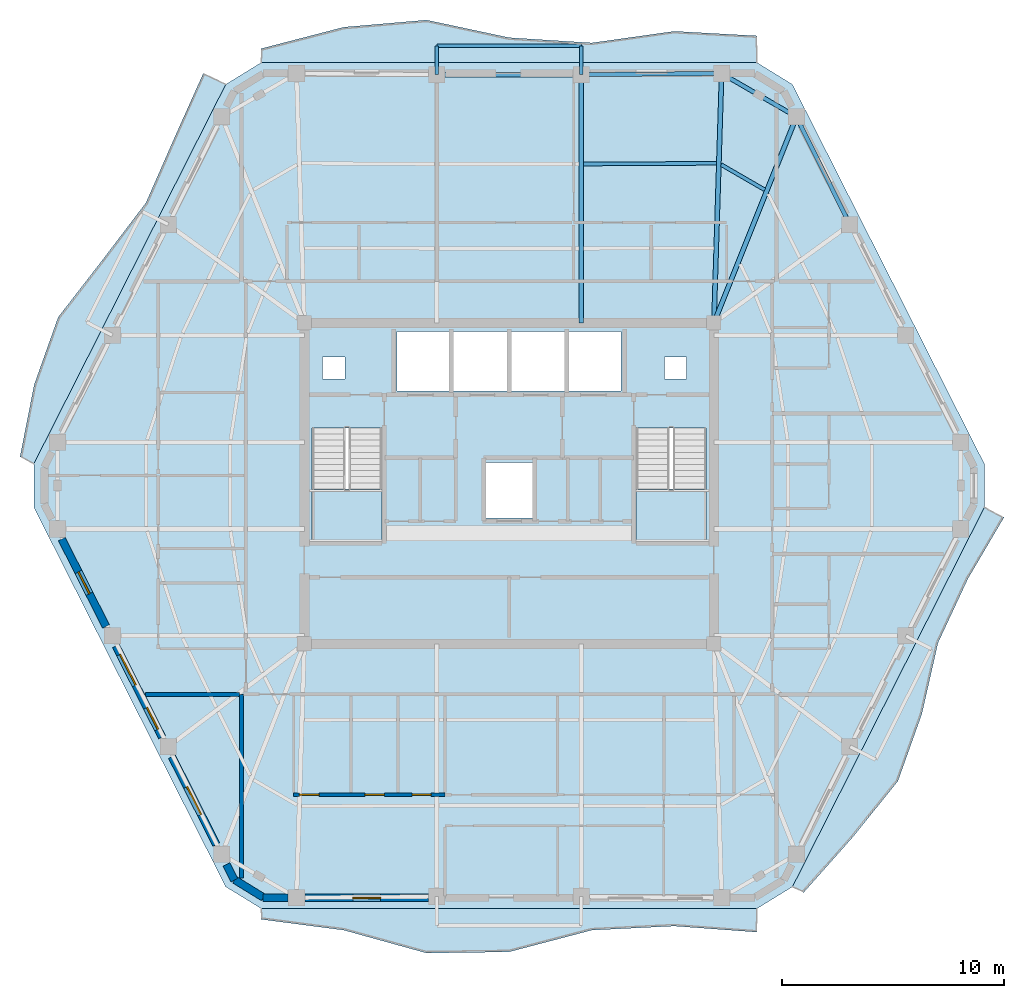
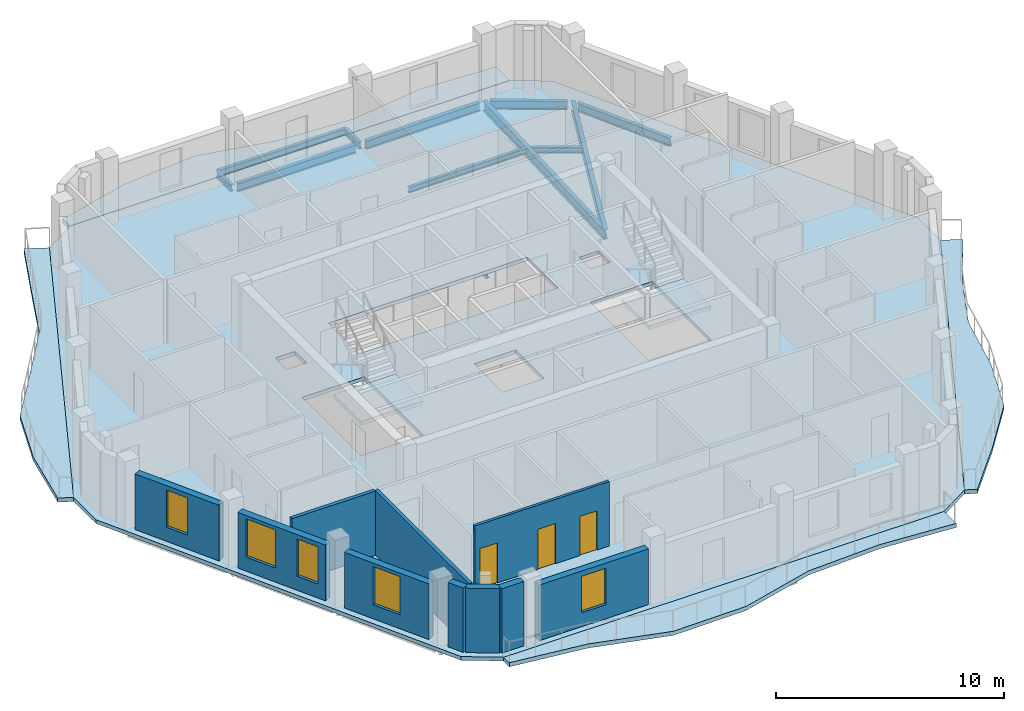
# One storey, part 3 of 11: 12 beams, 10 walls, 7 slabs, 5 windows, 3 doors, 8 openings, 2 elements without a shape of their own.
"""IFC4 building model written with IfcOpenShell, lengths in metres."""

from ifc_helpers import new_model, si_unit, direction, frame, frame_2d, origin, origin_2d, place, context, subcontext, project, spatial, polyline, rectangle, i_section, outline, extrude, material, layer, layer_set, material_profile, profile_set, type_object, element, fill, aggregate, save


model = new_model("IFC4")

# Units and contexts
model_context = context("Model", 3, precision=1e-05, world=origin(), true_north=direction((0.0, 1.0)))
body_context = subcontext(model_context, "Body", "Model", "MODEL_VIEW")
ifc_project = project(units=[si_unit("LENGTHUNIT", "METRE"), si_unit("AREAUNIT", "SQUARE_METRE"), si_unit("VOLUMEUNIT", "CUBIC_METRE"), si_unit("PLANEANGLEUNIT", "RADIAN"), si_unit("MASSUNIT", "GRAM", prefix="KILO")], contexts=[model_context])

# Site, building, storey
site_placement = place(None, origin())
site = spatial("IfcSite", under=ifc_project, at=site_placement, CompositionType="ELEMENT")
building_placement = place(site_placement, origin())
building = spatial("IfcBuilding", under=site, at=building_placement, Name="Cinnabar Lancet Tower", CompositionType="ELEMENT")
storey_placement = place(building_placement, frame((0.0, 0.0, 248.89990234375)))
storey = spatial("IfcBuildingStorey", under=building, at=storey_placement, Name="L66", CompositionType="ELEMENT", Elevation=248.89990234375)

# Beams
ifc_material_1 = material(Name="Structural steel S355", Category="steel")
ifc_material_profile_1 = material_profile(ifc_material_1, i_section(OverallWidth=0.1650390625, OverallDepth=0.303466796875, WebThickness=0.006103515625, FlangeThickness=0.01025390625, FilletRadius=0.0087890625, at=origin_2d()), Name="UKB 305x165x40")
ifc_profile_set_1 = profile_set([ifc_material_profile_1], Name="Structural steel S355")
beam_type_1 = type_object("IfcBeamType", Name="STR-BM-JST-305", PredefinedType="JOIST", material=ifc_profile_set_1)
beam_1_placement = place(storey_placement, frame((43.912109375, 39.1201171875, -0.351806640625), z_axis=(-0.865426285481, 0.501036270542, 0.0), x_axis=(-0.501036270542, -0.865426285481, 0.0)))
element("IfcBeam", 1, at=beam_1_placement, inside=storey, type_object=beam_type_1, Name="L66 Secondary Floor Joist 29", PredefinedType="JOIST", context=body_context, shape_type="SweptSolid", body=[
    extrude(i_section(OverallWidth=0.1650390625, OverallDepth=0.303466796875, WebThickness=0.006103515625, FlangeThickness=0.01025390625, FilletRadius=0.0087890625, at=origin_2d()), origin(), (0.0, 0.0, 1.0), 2.267333984375),
])
beam_2_placement = place(storey_placement, frame((41.741943359375, 40.31494140625, -0.351806640625), z_axis=(-0.999985712428, -0.005345553266, 0.0), x_axis=(0.005345553266, -0.999985712428, 0.0)))
element("IfcBeam", 2, at=beam_2_placement, inside=storey, type_object=beam_type_1, Name="L66 Secondary Floor Joist 30", PredefinedType="JOIST", context=body_context, shape_type="SweptSolid", body=[
    extrude(i_section(OverallWidth=0.1650390625, OverallDepth=0.303466796875, WebThickness=0.006103515625, FlangeThickness=0.01025390625, FilletRadius=0.0087890625, at=origin_2d()), origin(), (0.0, 0.0, 1.0), 5.98291015625),
])
ifc_material_2 = material(Name="Structural steel S355", Category="steel")
ifc_material_profile_2 = material_profile(ifc_material_2, i_section(OverallWidth=0.1904296875, OverallDepth=0.45703125, WebThickness=0.009033203125, FlangeThickness=0.014404296875, FilletRadius=0.01025390625, at=origin_2d()), Name="UKB 457x191x74")
ifc_profile_set_2 = profile_set([ifc_material_profile_2], Name="Structural steel S355")
beam_type_2 = type_object("IfcBeamType", Name="STR-BM-SPN-457", PredefinedType="SPANDREL", material=ifc_profile_set_2)
beam_3_placement = place(storey_placement, frame((47.637939453125, 37.778076171875, -0.428955078125), z_axis=(-0.444372599207, 0.895842058107, 0.0), x_axis=(-0.895842058107, -0.444372599207, 0.0)))
element("IfcBeam", 3, at=beam_3_placement, inside=storey, type_object=beam_type_2, Name="L66 Perimeter Spandrel 11", PredefinedType="SPANDREL", context=body_context, shape_type="SweptSolid", body=[
    extrude(i_section(OverallWidth=0.1904296875, OverallDepth=0.45703125, WebThickness=0.009033203125, FlangeThickness=0.014404296875, FilletRadius=0.01025390625, at=origin_2d()), origin(), (0.0, 0.0, 1.0), 4.91943359375),
])
beam_4_placement = place(storey_placement, frame((45.125, 42.533935546875, -0.428955078125), z_axis=(-0.865199693264, 0.501427453153, 0.0), x_axis=(-0.501427453153, -0.865199693264, 0.0)))
element("IfcBeam", 4, at=beam_4_placement, inside=storey, type_object=beam_type_2, Name="L66 Perimeter Spandrel 12", PredefinedType="SPANDREL", context=body_context, shape_type="SweptSolid", body=[
    extrude(i_section(OverallWidth=0.1904296875, OverallDepth=0.45703125, WebThickness=0.009033203125, FlangeThickness=0.014404296875, FilletRadius=0.01025390625, at=origin_2d()), origin(), (0.0, 0.0, 1.0), 3.39453125),
])
beam_5_placement = place(storey_placement, frame((41.721923828125, 44.35888671875, -0.428955078125), z_axis=(-0.999964782464, -0.008392486634, 0.0), x_axis=(0.008392486634, -0.999964782464, 0.0)))
element("IfcBeam", 5, at=beam_5_placement, inside=storey, type_object=beam_type_2, Name="L66 Perimeter Spandrel 13", PredefinedType="SPANDREL", context=body_context, shape_type="SweptSolid", body=[
    extrude(i_section(OverallWidth=0.1904296875, OverallDepth=0.45703125, WebThickness=0.009033203125, FlangeThickness=0.014404296875, FilletRadius=0.01025390625, at=origin_2d()), origin(), (0.0, 0.0, 1.0), 5.818115234375),
])
beam_6_placement = place(storey_placement, frame((35.404052734375, 44.30810546875, -0.428955078125), z_axis=(-1.0, 0.0, 0.0), x_axis=(0.0, -1.0, 0.0)))
element("IfcBeam", 6, at=beam_6_placement, inside=storey, type_object=beam_type_2, Name="L66 Perimeter Spandrel 14", PredefinedType="SPANDREL", context=body_context, shape_type="SweptSolid", body=[
    extrude(i_section(OverallWidth=0.1904296875, OverallDepth=0.45703125, WebThickness=0.009033203125, FlangeThickness=0.014404296875, FilletRadius=0.01025390625, at=origin_2d()), origin(), (0.0, 0.0, 1.0), 6.008056640625),
])
ifc_material_3 = material(Name="Structural steel S355", Category="steel")
ifc_material_profile_3 = material_profile(ifc_material_3, i_section(OverallWidth=0.209228515625, OverallDepth=0.533203125, WebThickness=0.010009765625, FlangeThickness=0.015625, FilletRadius=0.0126953125, at=origin_2d()), Name="UKB 533x210x92")
ifc_profile_set_3 = profile_set([ifc_material_profile_3], Name="Structural steel S355")
beam_type_3 = type_object("IfcBeamType", Name="STR-BM-UKB533-92", PredefinedType="BEAM", material=ifc_profile_set_3)
beam_7_placement = place(storey_placement, frame((45.341064453125, 42.408935546875, -0.466796875), z_axis=(-0.371605341166, -0.928390796172, 0.0), x_axis=(0.928390796172, -0.371605341166, 0.0)))
element("IfcBeam", 7, at=beam_7_placement, inside=storey, type_object=beam_type_3, Name="L66 Primary Floor Girder 12", PredefinedType="BEAM", context=body_context, shape_type="SweptSolid", body=[
    extrude(i_section(OverallWidth=0.209228515625, OverallDepth=0.533203125, WebThickness=0.010009765625, FlangeThickness=0.015625, FilletRadius=0.0126953125, at=origin_2d()), origin(), (0.0, 0.0, 1.0), 10.0),
])
beam_8_placement = place(storey_placement, frame((41.971923828125, 44.361083984375, -0.466796875), z_axis=(-0.030861159652, -0.999523680973, 0.0), x_axis=(0.999523680973, -0.030861159652, 0.0)))
element("IfcBeam", 8, at=beam_8_placement, inside=storey, type_object=beam_type_3, Name="L66 Primary Floor Girder 13", PredefinedType="BEAM", context=body_context, shape_type="SweptSolid", body=[
    extrude(i_section(OverallWidth=0.209228515625, OverallDepth=0.533203125, WebThickness=0.010009765625, FlangeThickness=0.015625, FilletRadius=0.0126953125, at=origin_2d()), origin(), (0.0, 0.0, 1.0), 11.241455078125),
])
beam_9_placement = place(storey_placement, frame((35.654052734375, 44.30810546875, -0.466796875), z_axis=(0.0, -1.0, 0.0), x_axis=(1.0, 0.0, 0.0)))
element("IfcBeam", 9, at=beam_9_placement, inside=storey, type_object=beam_type_3, Name="L66 Primary Floor Girder 14", PredefinedType="BEAM", context=body_context, shape_type="SweptSolid", body=[
    extrude(i_section(OverallWidth=0.209228515625, OverallDepth=0.533203125, WebThickness=0.010009765625, FlangeThickness=0.015625, FilletRadius=0.0126953125, at=origin_2d()), origin(), (0.0, 0.0, 1.0), 11.18310546875),
])
ifc_material_4 = material(Name="Structural steel S355", Category="steel")
ifc_material_profile_4 = material_profile(ifc_material_4, i_section(OverallWidth=0.17138671875, OverallDepth=0.35498046875, WebThickness=0.00732421875, FlangeThickness=0.011474609375, FilletRadius=0.01025390625, at=origin_2d()), Name="UKB 356x171x51")
ifc_profile_set_4 = profile_set([ifc_material_profile_4], Name="Structural steel S355")
beam_type_4 = type_object("IfcBeamType", Name="STR-BM-WAV-OUT", PredefinedType="BEAM", material=ifc_profile_set_4)
for number, where, z_axis, x_axis, name in (
    (10, (35.654052734375, 44.30810546875, -0.39794921875), (0.0, 1.0, 0.0), (-1.0, 0.0, 0.0), "L66 Face 4 Balcony Outlooker A"),
    (11, (29.14599609375, 44.30810546875, -0.39794921875), (0.0, 1.0, 0.0), (-1.0, 0.0, 0.0), "L66 Face 4 Balcony Outlooker B"),
):
    element("IfcBeam", number, at=place(storey_placement, frame(where, z_axis=z_axis, x_axis=x_axis)), inside=storey, type_object=beam_type_4, Name=name, PredefinedType="BEAM", context=body_context, shape_type="SweptSolid", body=[
        extrude(i_section(OverallWidth=0.17138671875, OverallDepth=0.35498046875, WebThickness=0.00732421875, FlangeThickness=0.011474609375, FilletRadius=0.01025390625, at=origin_2d()), origin(), (0.0, 0.0, 1.0), 1.2998046875),
    ])
ifc_material_5 = material(Name="Structural steel S355", Category="steel")
ifc_material_profile_5 = material_profile(ifc_material_5, i_section(OverallWidth=0.17138671875, OverallDepth=0.35498046875, WebThickness=0.00732421875, FlangeThickness=0.011474609375, FilletRadius=0.01025390625, at=origin_2d()), Name="UKB 356x171x51")
ifc_profile_set_5 = profile_set([ifc_material_profile_5], Name="Structural steel S355")
beam_type_5 = type_object("IfcBeamType", Name="STR-BM-WAV-TRIM", PredefinedType="SPANDREL", material=ifc_profile_set_5)
beam_10_placement = place(storey_placement, frame((35.654052734375, 45.60791015625, -0.39794921875), z_axis=(-1.0, 0.0, 0.0), x_axis=(0.0, -1.0, 0.0)))
element("IfcBeam", 12, at=beam_10_placement, inside=storey, type_object=beam_type_5, Name="L66 Face 4 Balcony Edge Trimmer", PredefinedType="SPANDREL", context=body_context, shape_type="SweptSolid", body=[
    extrude(i_section(OverallWidth=0.17138671875, OverallDepth=0.35498046875, WebThickness=0.00732421875, FlangeThickness=0.011474609375, FilletRadius=0.01025390625, at=origin_2d()), origin(), (0.0, 0.0, 1.0), 6.508056640625),
])

# Stair, slab
ifc_material_6 = material(Name="Concrete C40/50", Category="concrete")
stair_type = type_object("IfcStairType", Name="ST-CORE", PredefinedType="HALF_TURN_STAIR", material=ifc_material_6)
stair_1_placement = place(storey_placement, origin())
stair_1 = element("IfcStair", 13, at=stair_1_placement, inside=storey, type_object=stair_type, Name="L66 ST-1", PredefinedType="HALF_TURN_STAIR")
ifc_material_7 = material(Name="Concrete C40/50", Category="concrete")
ifc_layer_1 = layer(ifc_material_7, 0.199951171875)
ifc_layer_set_1 = layer_set([ifc_layer_1], Name="Concrete C40/50")
slab_type_1 = type_object("IfcSlabType", Name="LANDING-CORE", PredefinedType="LANDING", material=ifc_layer_set_1)
slab_1_placement = place(storey_placement, frame((0.0, 0.0, 1.625)))
slab_1 = element("IfcSlab", 14, at=slab_1_placement, type_object=slab_type_1, Name="ST-1 landing 1", PredefinedType="LANDING", context=body_context, shape_type="SweptSolid", body=[
    extrude(outline(polyline([(23.52490234375, 25.64990234375), (23.52490234375, 23.25), (26.675048828125, 23.25), (26.675048828125, 25.64990234375), (23.52490234375, 25.64990234375)])), origin(), (0.0, 0.0, 1.0), 0.2001953125),
])
aggregate(stair_1, [slab_1])

stair_2_placement = place(storey_placement, origin())
stair_2 = element("IfcStair", 15, at=stair_2_placement, inside=storey, type_object=stair_type, Name="L66 ST-2", PredefinedType="HALF_TURN_STAIR")
slab_2_placement = place(storey_placement, frame((0.0, 0.0, 1.625)))
slab_2 = element("IfcSlab", 16, at=slab_2_placement, type_object=slab_type_1, Name="ST-2 landing 1", PredefinedType="LANDING", context=body_context, shape_type="SweptSolid", body=[
    extrude(outline(polyline([(38.125, 25.64990234375), (38.125, 23.25), (41.27490234375, 23.25), (41.27490234375, 25.64990234375), (38.125, 25.64990234375)])), origin(), (0.0, 0.0, 1.0), 0.2001953125),
])
aggregate(stair_2, [slab_2])

# Slabs
ifc_material_8 = material(Name="Concrete C40/50", Category="concrete")
ifc_layer_2 = layer(ifc_material_8, 0.199951171875)
ifc_layer_set_2 = layer_set([ifc_layer_2], Name="Concrete C40/50")
slab_type_2 = type_object("IfcSlabType", Name="STR-SLB-FLR-200", PredefinedType="FLOOR", material=ifc_layer_set_2)
slab_3_placement = place(storey_placement, frame((0.0, 0.0, -0.199951171875)))
element("IfcSlab", 17, at=slab_3_placement, inside=storey, type_object=slab_type_2, Name="L66 Structural Floor Slab", PredefinedType="FLOOR", context=body_context, shape_type="SweptSolid", body=[
    extrude(outline(polyline([(19.638916015625, 7.73193359375), (21.236083984375, 6.75), (43.56396484375, 6.75), (45.160888671875, 7.73193359375), (53.802978515625, 24.818115234375), (53.802978515625, 26.781982421875), (45.160888671875, 43.867919921875), (43.56396484375, 44.85009765625), (21.236083984375, 44.85009765625), (19.638916015625, 43.867919921875), (10.9970703125, 26.781982421875), (10.9970703125, 24.818115234375), (19.638916015625, 7.73193359375)]), holes=[polyline([(23.52490234375, 23.25), (26.675048828125, 23.25), (26.675048828125, 28.3994140625), (23.52490234375, 28.3994140625), (23.52490234375, 23.25)]), polyline([(38.125, 23.25), (41.27490234375, 23.25), (41.27490234375, 28.3994140625), (38.125, 28.3994140625), (38.125, 23.25)]), polyline([(27.35009765625, 30.050048828125), (37.449951171875, 30.050048828125), (37.449951171875, 32.75), (27.35009765625, 32.75), (27.35009765625, 30.050048828125)]), polyline([(31.35009765625, 24.35009765625), (33.449951171875, 24.35009765625), (33.449951171875, 26.85009765625), (31.35009765625, 26.85009765625), (31.35009765625, 24.35009765625)]), polyline([(24.0, 30.60009765625), (25.0, 30.60009765625), (25.0, 31.60009765625), (24.0, 31.60009765625), (24.0, 30.60009765625)]), polyline([(39.39990234375, 30.60009765625), (40.39990234375, 30.60009765625), (40.39990234375, 31.60009765625), (39.39990234375, 31.60009765625), (39.39990234375, 30.60009765625)])]), origin(), (0.0, 0.0, 1.0), 0.199951171875),
])
ifc_material_9 = material(Name="Concrete C45/55", Category="concrete")
ifc_layer_3 = layer(ifc_material_9, 0.219970703125)
ifc_layer_set_3 = layer_set([ifc_layer_3], Name="Concrete C45/55")
slab_type_3 = type_object("IfcSlabType", Name="STR-SLB-WAV-220", PredefinedType="FLOOR", material=ifc_layer_set_3)
slab_4_placement = place(storey_placement, frame((0.0, 0.0, -0.219970703125)))
element("IfcSlab", 18, at=slab_4_placement, inside=storey, type_object=slab_type_3, Name="L66 Face 1 Undulating Wave Balcony Slab", PredefinedType="FLOOR", context=body_context, shape_type="SweptSolid", body=[
    extrude(outline(polyline([(21.236083984375, 6.75), (21.236083984375, 6.263916015625), (24.95703125, 5.777099609375), (28.678955078125, 4.7470703125), (32.39990234375, 4.799072265625), (36.12109375, 5.777099609375), (39.843017578125, 5.9619140625), (43.56396484375, 5.68994140625), (43.56396484375, 6.75), (21.236083984375, 6.75)])), origin(), (0.0, 0.0, 1.0), 0.219970703125),
])
slab_5_placement = place(storey_placement, frame((0.0, 0.0, -0.219970703125)))
element("IfcSlab", 19, at=slab_5_placement, inside=storey, type_object=slab_type_3, Name="L66 Face 2 Undulating Wave Balcony Slab", PredefinedType="FLOOR", context=body_context, shape_type="SweptSolid", body=[
    extrude(outline(polyline([(45.160888671875, 7.73193359375), (45.6650390625, 7.47705078125), (47.85791015625, 9.944091796875), (49.906982421875, 12.48388671875), (50.989013671875, 15.512939453125), (51.717041015625, 18.720947265625), (53.06689453125, 21.614013671875), (54.68896484375, 24.3701171875), (53.802978515625, 24.818115234375), (45.160888671875, 7.73193359375)])), origin(), (0.0, 0.0, 1.0), 0.219970703125),
])
slab_6_placement = place(storey_placement, frame((0.0, 0.0, -0.219970703125)))
element("IfcSlab", 20, at=slab_6_placement, inside=storey, type_object=slab_type_3, Name="L66 Face 4 Undulating Wave Balcony Slab", PredefinedType="FLOOR", context=body_context, shape_type="SweptSolid", body=[
    extrude(outline(polyline([(43.56396484375, 44.85009765625), (43.56396484375, 46.056884765625), (39.843017578125, 46.261962890625), (36.12109375, 45.739013671875), (32.39990234375, 45.97607421875), (28.678955078125, 46.76904296875), (24.95703125, 46.447998046875), (21.236083984375, 45.48193359375), (21.236083984375, 44.85009765625), (43.56396484375, 44.85009765625)])), origin(), (0.0, 0.0, 1.0), 0.219970703125),
])
slab_7_placement = place(storey_placement, frame((0.0, 0.0, -0.219970703125)))
element("IfcSlab", 21, at=slab_7_placement, inside=storey, type_object=slab_type_3, Name="L66 Face 5 Undulating Wave Balcony Slab", PredefinedType="FLOOR", context=body_context, shape_type="SweptSolid", body=[
    extrude(outline(polyline([(19.638916015625, 43.867919921875), (18.633056640625, 44.376953125), (17.326904296875, 41.4609375), (16.04296875, 38.534912109375), (14.0791015625, 35.951904296875), (12.091064453125, 33.381103515625), (11.013916015625, 30.35009765625), (10.373046875, 27.097900390625), (10.9970703125, 26.781982421875), (19.638916015625, 43.867919921875)])), origin(), (0.0, 0.0, 1.0), 0.219970703125),
])

# Walls
ifc_material_10 = material(Name="Fire-rated twin-frame acoustic drywall", Category="gypsum")
ifc_layer_4 = layer(ifc_material_10, 0.179931640625)
ifc_layer_set_4 = layer_set([ifc_layer_4], Name="Fire-rated twin-frame acoustic drywall")
wall_type_1 = type_object("IfcWallType", Name="ARC-WL-PARTY-180", PredefinedType="PARTITIONING", material=ifc_layer_set_4)
wall_1_placement = place(storey_placement, frame((20.35009765625, 8.118896484375, 0.0), z_axis=(0.0, 0.0, 1.0), x_axis=(0.0, 1.0, 0.0)))
element("IfcWall", 22, at=wall_1_placement, inside=storey, type_object=wall_type_1, Name="PW-L66-SPTY-204", PredefinedType="PARTITIONING", context=body_context, shape_type="SweptSolid", body=[
    extrude(rectangle(XDim=8.281005859375, YDim=0.179931640625, at=frame_2d((4.140625, 0.0))), origin(), (0.0, 0.0, 1.0), 3.4501953125),
])
wall_2_placement = place(storey_placement, frame((16.033935546875, 16.39990234375, 0.0), z_axis=(0.0, 0.0, 1.0), x_axis=(1.0, 0.0, 0.0)))
element("IfcWall", 23, at=wall_2_placement, inside=storey, type_object=wall_type_1, Name="PW-L66-WSB", PredefinedType="PARTITIONING", context=body_context, shape_type="SweptSolid", body=[
    extrude(rectangle(XDim=4.220947265625, YDim=0.179931640625, at=frame_2d((2.1103515625, 0.0))), origin(), (0.0, 0.0, 1.0), 3.4501953125),
])

# Wall, openings, doors
ifc_material_11 = material(Name="Moisture-resistant cement-board plumbing wall", Category="masonry")
ifc_layer_5 = layer(ifc_material_11, 0.139892578125)
ifc_layer_set_5 = layer_set([ifc_layer_5], Name="Moisture-resistant cement-board plumbing wall")
wall_type_2 = type_object("IfcWallType", Name="ARC-WL-WET-140", PredefinedType="PLUMBINGWALL", material=ifc_layer_set_5)
wall_3_placement = place(storey_placement, frame((22.699951171875, 11.87890625, 0.0), z_axis=(0.0, 0.0, 1.0), x_axis=(1.0, 0.0, 0.0)))
wall_3 = element("IfcWall", 24, at=wall_3_placement, inside=storey, type_object=wall_type_2, Name="UW-L66-S01-SPL", PredefinedType="PLUMBINGWALL", context=body_context, shape_type="SweptSolid", body=[
    extrude(rectangle(XDim=6.80810546875, YDim=0.139892578125, at=frame_2d((3.404052734375, 0.0))), origin(), (0.0, 0.0, 1.0), 3.4501953125),
])
opening_1_placement = place(wall_3_placement, frame((5.327880859375, 0.0, 0.0)))
opening_1 = element("IfcOpeningElement", 25, at=opening_1_placement, cuts=wall_3, Name="Opening BD-01", PredefinedType="OPENING", context=body_context, shape_type="SweptSolid", body=[
    extrude(rectangle(XDim=0.860107421875, YDim=2.10009765625, at=frame_2d((0.43017578125, 1.050048828125))), frame((0.0, 0.079833984375, 0.0), z_axis=(0.0, -1.0, 0.0), x_axis=(1.0, 0.0, 0.0)), (0.0, 0.0, 1.0), 0.159912109375),
])
opening_2_placement = place(wall_3_placement, frame((0.260009765625, 0.0, 0.0)))
opening_2 = element("IfcOpeningElement", 26, at=opening_2_placement, cuts=wall_3, Name="Opening RD-02", PredefinedType="OPENING", context=body_context, shape_type="SweptSolid", body=[
    extrude(rectangle(XDim=0.8798828125, YDim=2.14990234375, at=frame_2d((0.43994140625, 1.074951171875))), frame((0.0, 0.079833984375, 0.0), z_axis=(0.0, -1.0, 0.0), x_axis=(1.0, 0.0, 0.0)), (0.0, 0.0, 1.0), 0.159912109375),
])
opening_3_placement = place(wall_3_placement, frame((3.202880859375, 0.0, 0.0)))
opening_3 = element("IfcOpeningElement", 27, at=opening_3_placement, cuts=wall_3, Name="Opening RD-02", PredefinedType="OPENING", context=body_context, shape_type="SweptSolid", body=[
    extrude(rectangle(XDim=0.8798828125, YDim=2.14990234375, at=frame_2d((0.43994140625, 1.074951171875))), frame((0.0, 0.079833984375, 0.0), z_axis=(0.0, -1.0, 0.0), x_axis=(1.0, 0.0, 0.0)), (0.0, 0.0, 1.0), 0.159912109375),
])
ifc_material_12 = material(Name="Moisture-resistant timber bathroom door", Category="wood")
door_type_1 = type_object("IfcDoorType", Name="ARC-DR-BATH", OperationType="NOTDEFINED", PredefinedType="DOOR", material=ifc_material_12)
door_1_placement = place(opening_1_placement, origin())
door_1 = element("IfcDoor", 28, at=door_1_placement, inside=storey, type_object=door_type_1, Name="DR-L66-S01-BTH", OperationType="SINGLE_SWING_RIGHT", OverallHeight=2.10009765625, OverallWidth=0.860107421875, PredefinedType="DOOR", context=body_context, shape_type="SweptSolid", body=[
    extrude(rectangle(XDim=0.860107421875, YDim=2.10009765625, at=frame_2d((0.43017578125, 1.050048828125))), frame((0.0, 0.02490234375, 0.0), z_axis=(0.0, -1.0, 0.0), x_axis=(1.0, 0.0, 0.0)), (0.0, 0.0, 1.0), 0.050048828125),
])
fill(opening_1, door_1)
ifc_material_13 = material(Name="Engineered timber study door", Category="wood")
door_type_2 = type_object("IfcDoorType", Name="ARC-DR-STUDY", OperationType="NOTDEFINED", PredefinedType="DOOR", material=ifc_material_13)
door_2_placement = place(opening_2_placement, origin())
door_2 = element("IfcDoor", 29, at=door_2_placement, inside=storey, type_object=door_type_2, Name="DR-L66-S01-KIT", OperationType="SINGLE_SWING_RIGHT", OverallHeight=2.14990234375, OverallWidth=0.8798828125, PredefinedType="DOOR", context=body_context, shape_type="SweptSolid", body=[
    extrude(rectangle(XDim=0.8798828125, YDim=2.14990234375, at=frame_2d((0.43994140625, 1.074951171875))), frame((0.0, 0.02490234375, 0.0), z_axis=(0.0, -1.0, 0.0), x_axis=(1.0, 0.0, 0.0)), (0.0, 0.0, 1.0), 0.050048828125),
])
fill(opening_2, door_2)
door_3_placement = place(opening_3_placement, origin())
door_3 = element("IfcDoor", 30, at=door_3_placement, inside=storey, type_object=door_type_2, Name="DR-L66-S01-STD", OperationType="SINGLE_SWING_LEFT", OverallHeight=2.14990234375, OverallWidth=0.8798828125, PredefinedType="DOOR", context=body_context, shape_type="SweptSolid", body=[
    extrude(rectangle(XDim=0.8798828125, YDim=2.14990234375, at=frame_2d((0.43994140625, 1.074951171875))), frame((0.0, 0.02490234375, 0.0), z_axis=(0.0, -1.0, 0.0), x_axis=(1.0, 0.0, 0.0)), (0.0, 0.0, 1.0), 0.050048828125),
])
fill(opening_3, door_3)

# Walls
ifc_material_14 = material(Name="Cinnabar red clay brick", Category="masonry")
ifc_layer_6 = layer(ifc_material_14, 0.340087890625)
ifc_layer_set_6 = layer_set([ifc_layer_6], Name="Cinnabar red clay brick")
wall_type_3 = type_object("IfcWallType", Name="ENV-WL-BRK-RED-340", PredefinedType="STANDARD", material=ifc_layer_set_6)
wall_4_placement = place(storey_placement, frame((20.047119140625, 8.044921875, 0.0), z_axis=(0.0, 0.0, 1.0), x_axis=(0.851680557619, -0.52406128246, 0.0)))
element("IfcWall", 31, at=wall_4_placement, inside=storey, type_object=wall_type_3, Name="L66 Chamfered Corner Brick Pier 1.1", PredefinedType="STANDARD", context=body_context, shape_type="SweptSolid", body=[
    extrude(rectangle(XDim=1.507568359375, YDim=0.340087890625, at=frame_2d((0.75390625, 0.0))), origin(), (0.0, 0.0, 1.0), 3.4501953125),
])
wall_5_placement = place(storey_placement, frame((21.325927734375, 7.22998046875, 0.0), z_axis=(0.0, 0.0, 1.0), x_axis=(1.0, 0.0, 0.0)))
element("IfcWall", 32, at=wall_5_placement, inside=storey, type_object=wall_type_3, Name="L66 Face 1 Masonry Bay Wall 1", PredefinedType="STANDARD", context=body_context, shape_type="SweptSolid", body=[
    extrude(rectangle(XDim=1.123046875, YDim=0.340087890625, at=frame_2d((0.5615234375, 0.0))), origin(), (0.0, 0.0, 1.0), 3.4501953125),
])

# Wall, opening, window
wall_6_placement = place(storey_placement, frame((23.20703125, 7.22998046875, 0.0), z_axis=(0.0, 0.0, 1.0), x_axis=(1.0, 0.0, 0.0)))
wall_6 = element("IfcWall", 33, at=wall_6_placement, inside=storey, type_object=wall_type_3, Name="L66 Face 1 Masonry Bay Wall 2", PredefinedType="STANDARD", context=body_context, shape_type="SweptSolid", body=[
    extrude(rectangle(XDim=5.56005859375, YDim=0.340087890625, at=frame_2d((2.780029296875, 0.0))), origin(), (0.0, 0.0, 1.0), 2.983154296875),
])
opening_4_placement = place(wall_6_placement, frame((2.155029296875, 0.0, 0.75)))
opening_4 = element("IfcOpeningElement", 34, at=opening_4_placement, cuts=wall_6, Name="Opening WN-03", PredefinedType="OPENING", context=body_context, shape_type="SweptSolid", body=[
    extrude(rectangle(XDim=1.25, YDim=1.949951171875, at=frame_2d((0.625, 0.97509765625))), frame((0.0, 0.179931640625, 0.0), z_axis=(0.0, -1.0, 0.0), x_axis=(1.0, 0.0, 0.0)), (0.0, 0.0, 1.0), 0.360107421875),
])
ifc_material_15 = material(Name="Thermally broken bronze-anodized aluminium low-E double glazing", Category="aluminium")
window_type_1 = type_object("IfcWindowType", Name="ENV-WN-LANCET-1250", PartitioningType="SINGLE_PANEL", PredefinedType="WINDOW", material=ifc_material_15)
window_1_placement = place(opening_4_placement, origin())
window_1 = element("IfcWindow", 35, at=window_1_placement, inside=storey, type_object=window_type_1, Name="L66 Face 1 Gothic Lancet Window 2", OverallHeight=1.949951171875, OverallWidth=1.25, PartitioningType="SINGLE_PANEL", PredefinedType="WINDOW", context=body_context, shape_type="SweptSolid", body=[
    extrude(rectangle(XDim=1.25, YDim=1.949951171875, at=frame_2d((0.625, 0.97509765625))), frame((0.0, 0.030029296875, 0.0), z_axis=(0.0, -1.0, 0.0), x_axis=(1.0, 0.0, 0.0)), (0.0, 0.0, 1.0), 0.06005859375),
])
fill(opening_4, window_1)

wall_7_placement = place(storey_placement, frame((12.257080078125, 23.388916015625, 0.0), z_axis=(0.0, 0.0, 1.0), x_axis=(0.45130817501, -0.892368158984, 0.0)))
wall_7 = element("IfcWall", 36, at=wall_7_placement, inside=storey, type_object=wall_type_3, Name="L66 Face 6 Masonry Bay Wall 2", PredefinedType="STANDARD", context=body_context, shape_type="SweptSolid", body=[
    extrude(rectangle(XDim=4.4072265625, YDim=0.340087890625, at=frame_2d((2.20361328125, 0.0))), origin(), (0.0, 0.0, 1.0), 2.983154296875),
])
opening_5_placement = place(wall_7_placement, frame((1.654052734375, 0.0, 0.75)))
opening_5 = element("IfcOpeningElement", 37, at=opening_5_placement, cuts=wall_7, Name="Opening WN-04", PredefinedType="OPENING", context=body_context, shape_type="SweptSolid", body=[
    extrude(rectangle(XDim=1.10009765625, YDim=2.0, at=frame_2d((0.550048828125, 1.0))), frame((0.0, 0.179931640625, 0.0), z_axis=(0.0, -1.0, 0.0), x_axis=(1.0, 0.0, 0.0)), (0.0, 0.0, 1.0), 0.360107421875),
])
ifc_material_16 = material(Name="Thermally broken bronze-anodized aluminium tall lancet window", Category="aluminium")
window_type_2 = type_object("IfcWindowType", Name="ENV-WN-LANCET-1100", PartitioningType="SINGLE_PANEL", PredefinedType="WINDOW", material=ifc_material_16)
window_2_placement = place(opening_5_placement, origin())
window_2 = element("IfcWindow", 38, at=window_2_placement, inside=storey, type_object=window_type_2, Name="L66 Face 6 Gothic Lancet Window 2", OverallHeight=2.0, OverallWidth=1.10009765625, PartitioningType="SINGLE_PANEL", PredefinedType="WINDOW", context=body_context, shape_type="SweptSolid", body=[
    extrude(rectangle(XDim=1.10009765625, YDim=2.0, at=frame_2d((0.550048828125, 1.0))), frame((0.0, 0.030029296875, 0.0), z_axis=(0.0, -1.0, 0.0), x_axis=(1.0, 0.0, 0.0)), (0.0, 0.0, 1.0), 0.06005859375),
])
fill(opening_5, window_2)

# Wall, openings, windows
wall_8_placement = place(storey_placement, frame((14.69091796875, 18.576904296875, 0.0), z_axis=(0.0, 0.0, 1.0), x_axis=(0.451581819983, -0.892229712496, 0.0)))
wall_8 = element("IfcWall", 39, at=wall_8_placement, inside=storey, type_object=wall_type_3, Name="L66 Face 6 Masonry Bay Wall 3", PredefinedType="STANDARD", context=body_context, shape_type="SweptSolid", body=[
    extrude(rectangle(XDim=4.599609375, YDim=0.340087890625, at=frame_2d((2.2998046875, 0.0))), origin(), (0.0, 0.0, 1.0), 2.983154296875),
])
opening_6_placement = place(wall_8_placement, frame((0.424072265625, 0.0, 0.75)))
opening_6 = element("IfcOpeningElement", 40, at=opening_6_placement, cuts=wall_8, Name="Opening WN-01", PredefinedType="OPENING", context=body_context, shape_type="SweptSolid", body=[
    extrude(rectangle(XDim=1.550048828125, YDim=2.050048828125, at=frame_2d((0.77490234375, 1.02490234375))), frame((0.0, 0.179931640625, 0.0), z_axis=(0.0, -1.0, 0.0), x_axis=(1.0, 0.0, 0.0)), (0.0, 0.0, 1.0), 0.360107421875),
])
opening_7_placement = place(wall_8_placement, frame((3.10009765625, 0.0, 0.75)))
opening_7 = element("IfcOpeningElement", 41, at=opening_7_placement, cuts=wall_8, Name="Opening WN-04", PredefinedType="OPENING", context=body_context, shape_type="SweptSolid", body=[
    extrude(rectangle(XDim=1.10009765625, YDim=2.0, at=frame_2d((0.550048828125, 1.0))), frame((0.0, 0.179931640625, 0.0), z_axis=(0.0, -1.0, 0.0), x_axis=(1.0, 0.0, 0.0)), (0.0, 0.0, 1.0), 0.360107421875),
])
window_3_placement = place(opening_7_placement, origin())
window_3 = element("IfcWindow", 42, at=window_3_placement, inside=storey, type_object=window_type_2, Name="L66 Split-Bay Gothic Lancet Window 237", OverallHeight=2.0, OverallWidth=1.10009765625, PartitioningType="SINGLE_PANEL", PredefinedType="WINDOW", context=body_context, shape_type="SweptSolid", body=[
    extrude(rectangle(XDim=1.10009765625, YDim=2.0, at=frame_2d((0.550048828125, 1.0))), frame((0.0, 0.030029296875, 0.0), z_axis=(0.0, -1.0, 0.0), x_axis=(1.0, 0.0, 0.0)), (0.0, 0.0, 1.0), 0.06005859375),
])
fill(opening_7, window_3)
ifc_material_17 = material(Name="Thermally broken bronze-anodized aluminium low-E double glazing", Category="aluminium")
window_type_3 = type_object("IfcWindowType", Name="ENV-WN-LANCET-1550", PartitioningType="SINGLE_PANEL", PredefinedType="WINDOW", material=ifc_material_17)
window_4_placement = place(opening_6_placement, origin())
window_4 = element("IfcWindow", 43, at=window_4_placement, inside=storey, type_object=window_type_3, Name="L66 Face 6 Gothic Lancet Window 3", OverallHeight=2.050048828125, OverallWidth=1.550048828125, PartitioningType="SINGLE_PANEL", PredefinedType="WINDOW", context=body_context, shape_type="SweptSolid", body=[
    extrude(rectangle(XDim=1.550048828125, YDim=2.050048828125, at=frame_2d((0.77490234375, 1.02490234375))), frame((0.0, 0.030029296875, 0.0), z_axis=(0.0, -1.0, 0.0), x_axis=(1.0, 0.0, 0.0)), (0.0, 0.0, 1.0), 0.06005859375),
])
fill(opening_6, window_4)

# Wall, opening, window
wall_9_placement = place(storey_placement, frame((17.214111328125, 13.590087890625, 0.0), z_axis=(0.0, 0.0, 1.0), x_axis=(0.451440846853, -0.892301048858, 0.0)))
wall_9 = element("IfcWall", 44, at=wall_9_placement, inside=storey, type_object=wall_type_3, Name="L66 Face 6 Masonry Bay Wall 4", PredefinedType="STANDARD", context=body_context, shape_type="SweptSolid", body=[
    extrude(rectangle(XDim=4.43017578125, YDim=0.340087890625, at=frame_2d((2.215087890625, 0.0))), origin(), (0.0, 0.0, 1.0), 2.983154296875),
])
opening_8_placement = place(wall_9_placement, frame((1.514892578125, 0.0, 0.75)))
opening_8 = element("IfcOpeningElement", 45, at=opening_8_placement, cuts=wall_9, Name="Opening WN-02", PredefinedType="OPENING", context=body_context, shape_type="SweptSolid", body=[
    extrude(rectangle(XDim=1.39990234375, YDim=2.050048828125, at=frame_2d((0.699951171875, 1.02490234375))), frame((0.0, 0.179931640625, 0.0), z_axis=(0.0, -1.0, 0.0), x_axis=(1.0, 0.0, 0.0)), (0.0, 0.0, 1.0), 0.360107421875),
])
ifc_material_18 = material(Name="Thermally broken bronze-anodized aluminium low-E double glazing", Category="aluminium")
window_type_4 = type_object("IfcWindowType", Name="ENV-WN-LANCET-1400", PartitioningType="SINGLE_PANEL", PredefinedType="WINDOW", material=ifc_material_18)
window_5_placement = place(opening_8_placement, origin())
window_5 = element("IfcWindow", 46, at=window_5_placement, inside=storey, type_object=window_type_4, Name="L66 Face 6 Gothic Lancet Window 4", OverallHeight=2.050048828125, OverallWidth=1.39990234375, PartitioningType="SINGLE_PANEL", PredefinedType="WINDOW", context=body_context, shape_type="SweptSolid", body=[
    extrude(rectangle(XDim=1.39990234375, YDim=2.050048828125, at=frame_2d((0.699951171875, 1.02490234375))), frame((0.0, 0.030029296875, 0.0), z_axis=(0.0, -1.0, 0.0), x_axis=(1.0, 0.0, 0.0)), (0.0, 0.0, 1.0), 0.06005859375),
])
fill(opening_8, window_5)

# Wall
wall_10_placement = place(storey_placement, frame((19.669921875, 8.735107421875, 0.0), z_axis=(0.0, 0.0, 1.0), x_axis=(0.451404919072, -0.89231922485, 0.0)))
element("IfcWall", 47, at=wall_10_placement, inside=storey, type_object=wall_type_3, Name="L66 Face 6 Masonry Bay Wall 5", PredefinedType="STANDARD", context=body_context, shape_type="SweptSolid", body=[
    extrude(rectangle(XDim=0.791259765625, YDim=0.340087890625, at=frame_2d((0.3955078125, 0.0))), origin(), (0.0, 0.0, 1.0), 3.4501953125),
])

save(model, "model.ifc")
